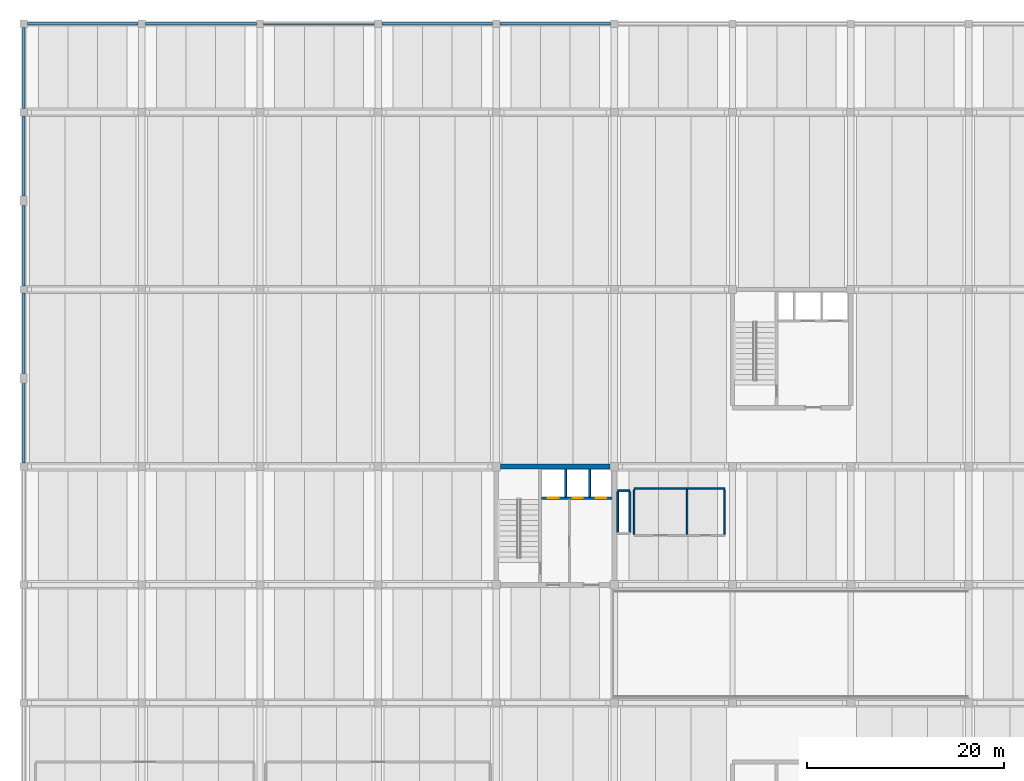
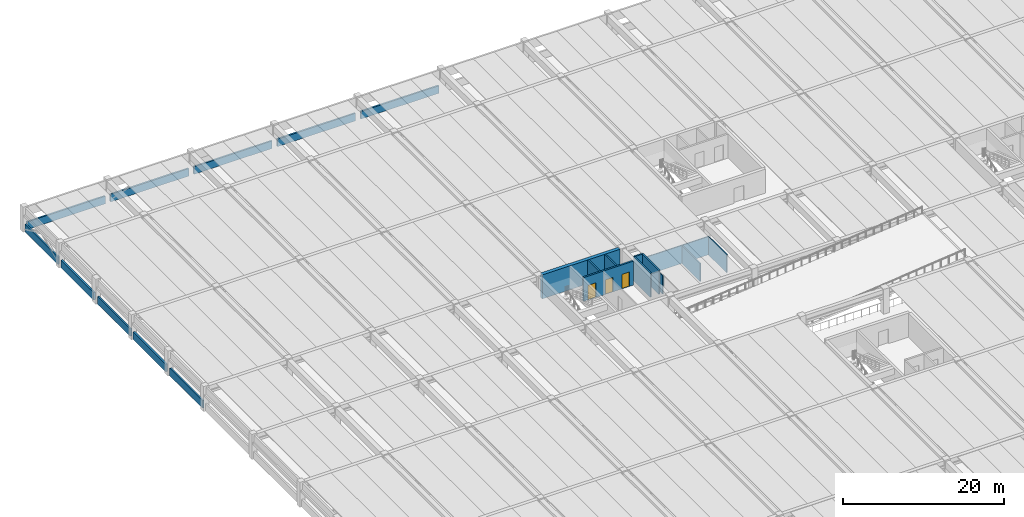
# One storey, part 11 of 21: 22 walls, 3 doors, 3 openings.
"""IFC4 building model written with IfcOpenShell, lengths in metres."""

from ifc_helpers import new_model, si_unit, direction, frame, frame_2d, origin, place, context, subcontext, project, spatial, rectangle, extrude, material, layer, layer_set, type_object, element, fill, save


model = new_model("IFC4")

# Units and contexts
model_context = context("Model", 3, precision=1e-05, world=origin(), true_north=direction((0.0, 1.0)))
body_context = subcontext(model_context, "Body", "Model", "MODEL_VIEW")
ifc_project = project(units=[si_unit("LENGTHUNIT", "METRE"), si_unit("AREAUNIT", "SQUARE_METRE"), si_unit("VOLUMEUNIT", "CUBIC_METRE"), si_unit("PLANEANGLEUNIT", "RADIAN"), si_unit("MASSUNIT", "GRAM", prefix="KILO")], contexts=[model_context])

# Site, building, storey
site_placement = place(None, origin())
site = spatial("IfcSite", under=ifc_project, at=site_placement, CompositionType="ELEMENT")
building_placement = place(site_placement, origin())
building = spatial("IfcBuilding", under=site, at=building_placement, Name="Girod Span Mobility Hub", CompositionType="ELEMENT")
storey_placement = place(building_placement, frame((0.0, 0.0, 17.199951171875)))
storey = spatial("IfcBuildingStorey", under=building, at=storey_placement, Name="L04", CompositionType="ELEMENT", Elevation=17.199951171875)

# Walls
ifc_material_1 = material(Name="Concrete C40/50", Category="concrete")
ifc_layer_1 = layer(ifc_material_1, 0.5)
ifc_layer_set_1 = layer_set([ifc_layer_1], Name="Concrete C40/50")
wall_type_1 = type_object("IfcWallType", Name="W-CW-500", PredefinedType="SHEAR", material=ifc_layer_set_1)
wall_1_placement = place(storey_placement, frame((48.422119140625, 69.0, 0.0), z_axis=(0.0, 0.0, 1.0), x_axis=(1.0, 0.0, 0.0)))
element("IfcWall", 1, at=wall_1_placement, inside=storey, type_object=wall_type_1, Name="Core C1 Shear Wall N L04", PredefinedType="SHEAR", context=body_context, shape_type="SweptSolid", body=[
    extrude(rectangle(XDim=11.15576171875, YDim=0.5, at=frame_2d((5.577880859375, 0.0))), origin(), (0.0, 0.0, 1.0), 3.64306640625),
])
ifc_material_2 = material(Name="Precast Architectural Concrete C40/50", Category="concrete")
ifc_layer_2 = layer(ifc_material_2, 0.239990234375)
ifc_layer_set_2 = layer_set([ifc_layer_2], Name="Precast Architectural Concrete C40/50")
wall_type_2 = type_object("IfcWallType", Name="W-PAR-240", PredefinedType="PARAPET", material=ifc_layer_set_2)
for number, where, z_axis, x_axis, name in (
    (2, (0.373046875, 114.0, 0.0), (0.0, 0.0, 1.0), (1.0, 0.0, 0.0), "Precast Parking Barrier Parapet N-1 L04"),
    (3, (12.373046875, 114.0, 0.0), (0.0, 0.0, 1.0), (1.0, 0.0, 0.0), "Precast Parking Barrier Parapet N-2 L04"),
    (4, (24.373046875, 114.0, 0.0), (0.0, 0.0, 1.0), (1.0, 0.0, 0.0), "Precast Parking Barrier Parapet N-3 L04"),
    (5, (36.373046875, 114.0, 0.0), (0.0, 0.0, 1.0), (1.0, 0.0, 0.0), "Precast Parking Barrier Parapet N-4 L04"),
    (6, (48.373046875, 114.0, 0.0), (0.0, 0.0, 1.0), (1.0, 0.0, 0.0), "Precast Parking Barrier Parapet N-5 L04"),
):
    element("IfcWall", number, at=place(storey_placement, frame(where, z_axis=z_axis, x_axis=x_axis)), inside=storey, type_object=wall_type_2, Name=name, PredefinedType="PARAPET", context=body_context, shape_type="SweptSolid", body=[
        extrude(rectangle(XDim=11.25390625, YDim=0.239990234375, at=frame_2d((5.626953125, 0.0))), origin(), (0.0, 0.0, 1.0), 1.150146484375),
    ])
for number, where, z_axis, x_axis, name in (
    (7, (0.0, 69.373046875, 0.0), (0.0, 0.0, 1.0), (0.0, 1.0, 0.0), "Precast Side Barrier Parapet W-F-1 L04"),
    (8, (0.0, 78.472900390625, 0.0), (0.0, 0.0, 1.0), (0.0, 1.0, 0.0), "Precast Side Barrier Parapet W-F-2 L04"),
    (9, (0.0, 87.373046875, 0.0), (0.0, 0.0, 1.0), (0.0, 1.0, 0.0), "Precast Side Barrier Parapet W-G-1 L04"),
    (10, (0.0, 96.472900390625, 0.0), (0.0, 0.0, 1.0), (0.0, 1.0, 0.0), "Precast Side Barrier Parapet W-G-2 L04"),
):
    element("IfcWall", number, at=place(storey_placement, frame(where, z_axis=z_axis, x_axis=x_axis)), inside=storey, type_object=wall_type_2, Name=name, PredefinedType="PARAPET", context=body_context, shape_type="SweptSolid", body=[
        extrude(rectangle(XDim=8.154052734375, YDim=0.239990234375, at=frame_2d((4.0771484375, 0.0))), origin(), (0.0, 0.0, 1.0), 1.150146484375),
    ])
wall_2_placement = place(storey_placement, frame((0.0, 105.373046875, 0.0), z_axis=(0.0, 0.0, 1.0), x_axis=(0.0, 1.0, 0.0)))
element("IfcWall", 11, at=wall_2_placement, inside=storey, type_object=wall_type_2, Name="Precast Side Barrier Parapet W-H-1 L04", PredefinedType="PARAPET", context=body_context, shape_type="SweptSolid", body=[
    extrude(rectangle(XDim=8.25390625, YDim=0.239990234375, at=frame_2d((4.126953125, 0.0))), origin(), (0.0, 0.0, 1.0), 1.150146484375),
])
ifc_material_3 = material(Name="Fire-Rated Gypsum Board on Metal Studs", Category="gypsum")
ifc_layer_3 = layer(ifc_material_3, 0.155029296875)
ifc_layer_set_3 = layer_set([ifc_layer_3], Name="Fire-Rated Gypsum Board on Metal Studs")
wall_type_3 = type_object("IfcWallType", Name="W-PLB-155", PredefinedType="PLUMBINGWALL", material=ifc_layer_set_3)
wall_3_placement = place(storey_placement, frame((62.0, 66.800048828125, 0.0), z_axis=(0.0, 0.0, 1.0), x_axis=(1.0, 0.0, 0.0)))
element("IfcWall", 12, at=wall_3_placement, inside=storey, type_object=wall_type_3, Name="Restroom L04 Partition N", PredefinedType="PLUMBINGWALL", context=body_context, shape_type="SweptSolid", body=[
    extrude(rectangle(XDim=5.39990234375, YDim=0.155029296875, at=frame_2d((2.699951171875, 0.0))), origin(), (0.0, 0.0, 1.0), 2.75),
])
for number, where, z_axis, x_axis, name in (
    (13, (62.0, 62.159912109375, 0.0), (0.0, 0.0, 1.0), (0.0, 1.0, 0.0), "Restroom L04 Partition W"),
    (14, (67.39990234375, 62.159912109375, 0.0), (0.0, 0.0, 1.0), (0.0, 1.0, 0.0), "Restroom L04 Partition E"),
):
    element("IfcWall", number, at=place(storey_placement, frame(where, z_axis=z_axis, x_axis=x_axis)), inside=storey, type_object=wall_type_3, Name=name, PredefinedType="PLUMBINGWALL", context=body_context, shape_type="SweptSolid", body=[
        extrude(rectangle(XDim=4.47998046875, YDim=0.155029296875, at=frame_2d((2.239990234375, 0.0))), origin(), (0.0, 0.0, 1.0), 2.75),
    ])
wall_4_placement = place(storey_placement, frame((67.39990234375, 66.800048828125, 0.0), z_axis=(0.0, 0.0, 1.0), x_axis=(1.0, 0.0, 0.0)))
element("IfcWall", 15, at=wall_4_placement, inside=storey, type_object=wall_type_3, Name="Accessible WC L04 Partition N", PredefinedType="PLUMBINGWALL", context=body_context, shape_type="SweptSolid", body=[
    extrude(rectangle(XDim=3.800048828125, YDim=0.155029296875, at=frame_2d((1.89990234375, 0.0))), origin(), (0.0, 0.0, 1.0), 2.75),
])
wall_5_placement = place(storey_placement, frame((71.199951171875, 62.159912109375, 0.0), z_axis=(0.0, 0.0, 1.0), x_axis=(0.0, 1.0, 0.0)))
element("IfcWall", 16, at=wall_5_placement, inside=storey, type_object=wall_type_3, Name="Accessible WC L04 Partition E", PredefinedType="PLUMBINGWALL", context=body_context, shape_type="SweptSolid", body=[
    extrude(rectangle(XDim=4.47998046875, YDim=0.155029296875, at=frame_2d((2.239990234375, 0.0))), origin(), (0.0, 0.0, 1.0), 2.75),
])
ifc_material_4 = material(Name="Concrete C40/50", Category="concrete")
ifc_layer_4 = layer(ifc_material_4, 0.199951171875)
ifc_layer_set_4 = layer_set([ifc_layer_4], Name="Concrete C40/50")
wall_type_4 = type_object("IfcWallType", Name="W-SH-200", PredefinedType="SOLIDWALL", material=ifc_layer_set_4)
wall_6_placement = place(storey_placement, frame((60.346923828125, 66.550048828125, 0.0), z_axis=(0.0, 0.0, 1.0), x_axis=(1.0, 0.0, 0.0)))
element("IfcWall", 17, at=wall_6_placement, inside=storey, type_object=wall_type_4, Name="Sanitary Wet Riser Shaft Wall N L04", PredefinedType="SOLIDWALL", context=body_context, shape_type="SweptSolid", body=[
    extrude(rectangle(XDim=1.233154296875, YDim=0.199951171875, at=frame_2d((0.61669921875, 0.0))), origin(), (0.0, 0.0, 1.0), 3.64306640625),
])
for number, where, z_axis, x_axis, name in (
    (18, (60.346923828125, 62.330078125, 0.0), (0.0, 0.0, 1.0), (0.0, 1.0, 0.0), "Sanitary Wet Riser Shaft Wall W L04"),
    (19, (61.580078125, 62.330078125, 0.0), (0.0, 0.0, 1.0), (0.0, 1.0, 0.0), "Sanitary Wet Riser Shaft Wall E L04"),
):
    element("IfcWall", number, at=place(storey_placement, frame(where, z_axis=z_axis, x_axis=x_axis)), inside=storey, type_object=wall_type_4, Name=name, PredefinedType="SOLIDWALL", context=body_context, shape_type="SweptSolid", body=[
        extrude(rectangle(XDim=4.139892578125, YDim=0.199951171875, at=frame_2d((2.06982421875, 0.0))), origin(), (0.0, 0.0, 1.0), 3.64306640625),
    ])
for number, where, z_axis, x_axis, name in (
    (20, (55.050048828125, 65.919921875, 0.0), (0.0, 0.0, 1.0), (0.0, 1.0, 0.0), "Core C1 Shaft Divider 1 L04"),
    (21, (57.47998046875, 65.919921875, 0.0), (0.0, 0.0, 1.0), (0.0, 1.0, 0.0), "Core C1 Shaft Divider 2 L04"),
):
    element("IfcWall", number, at=place(storey_placement, frame(where, z_axis=z_axis, x_axis=x_axis)), inside=storey, type_object=wall_type_4, Name=name, PredefinedType="SOLIDWALL", context=body_context, shape_type="SweptSolid", body=[
        extrude(rectangle(XDim=2.830078125, YDim=0.199951171875, at=frame_2d((1.4150390625, 0.0))), origin(), (0.0, 0.0, 1.0), 3.633056640625),
    ])

# Wall, openings, doors
ifc_material_5 = material(Name="Concrete C40/50", Category="concrete")
ifc_layer_5 = layer(ifc_material_5, 0.25)
ifc_layer_set_5 = layer_set([ifc_layer_5], Name="Concrete C40/50")
wall_type_5 = type_object("IfcWallType", Name="W-SH-250", PredefinedType="SOLIDWALL", material=ifc_layer_set_5)
wall_7_placement = place(storey_placement, frame((52.596923828125, 65.800048828125, 0.0), z_axis=(0.0, 0.0, 1.0), x_axis=(1.0, 0.0, 0.0)))
wall_7 = element("IfcWall", 22, at=wall_7_placement, inside=storey, type_object=wall_type_5, Name="Core C1 Hoistway Front Wall L04", PredefinedType="SOLIDWALL", context=body_context, shape_type="SweptSolid", body=[
    extrude(rectangle(XDim=7.156005859375, YDim=0.25, at=frame_2d((3.578125, 0.0))), origin(), (0.0, 0.0, 1.0), 3.64306640625),
])
opening_1_placement = place(wall_7_placement, frame((0.653076171875, 0.0, 0.0)))
opening_1 = element("IfcOpeningElement", 23, at=opening_1_placement, cuts=wall_7, Name="Opening LD-FL-1-L04", PredefinedType="OPENING", context=body_context, shape_type="SweptSolid", body=[
    extrude(rectangle(XDim=1.10009765625, YDim=2.239990234375, at=frame_2d((0.550048828125, 1.1201171875))), frame((0.0, 0.139892578125, 0.0), z_axis=(0.0, -1.0, 0.0), x_axis=(1.0, 0.0, 0.0)), (0.0, 0.0, 1.0), 0.280029296875),
])
opening_2_placement = place(wall_7_placement, frame((3.153076171875, 0.0, 0.0)))
opening_2 = element("IfcOpeningElement", 24, at=opening_2_placement, cuts=wall_7, Name="Opening LD-LP-1-L04", PredefinedType="OPENING", context=body_context, shape_type="SweptSolid", body=[
    extrude(rectangle(XDim=1.050048828125, YDim=2.199951171875, at=frame_2d((0.52490234375, 1.10009765625))), frame((0.0, 0.139892578125, 0.0), z_axis=(0.0, -1.0, 0.0), x_axis=(1.0, 0.0, 0.0)), (0.0, 0.0, 1.0), 0.280029296875),
])
opening_3_placement = place(wall_7_placement, frame((5.528076171875, 0.0, 0.0)))
opening_3 = element("IfcOpeningElement", 25, at=opening_3_placement, cuts=wall_7, Name="Opening LD-LP-2-L04", PredefinedType="OPENING", context=body_context, shape_type="SweptSolid", body=[
    extrude(rectangle(XDim=1.050048828125, YDim=2.199951171875, at=frame_2d((0.52490234375, 1.10009765625))), frame((0.0, 0.139892578125, 0.0), z_axis=(0.0, -1.0, 0.0), x_axis=(1.0, 0.0, 0.0)), (0.0, 0.0, 1.0), 0.280029296875),
])
ifc_material_6 = material(Name="Brushed Stainless Steel Grade 304", Category="steel")
door_type_1 = type_object("IfcDoorType", Name="LD-FL-110", OperationType="SLIDING_TO_LEFT", PredefinedType="USERDEFINED", material=ifc_material_6)
door_1_placement = place(opening_1_placement, origin())
door_1 = element("IfcDoor", 26, at=door_1_placement, inside=storey, type_object=door_type_1, Name="Lift FL-1 Sliding Landing Door L04", ObjectType="LANDING DOOR", OperationType="SLIDING_TO_LEFT", OverallHeight=2.239990234375, OverallWidth=1.10009765625, PredefinedType="USERDEFINED", context=body_context, shape_type="SweptSolid", body=[
    extrude(rectangle(XDim=1.10009765625, YDim=2.239990234375, at=frame_2d((0.550048828125, 1.1201171875))), frame((0.0, 0.02490234375, 0.0), z_axis=(0.0, -1.0, 0.0), x_axis=(1.0, 0.0, 0.0)), (0.0, 0.0, 1.0), 0.050048828125),
])
fill(opening_1, door_1)
ifc_material_7 = material(Name="Brushed Stainless Steel Grade 304", Category="steel")
door_type_2 = type_object("IfcDoorType", Name="LD-LP-105", OperationType="SLIDING_TO_LEFT", PredefinedType="USERDEFINED", material=ifc_material_7)
door_2_placement = place(opening_2_placement, origin())
door_2 = element("IfcDoor", 27, at=door_2_placement, inside=storey, type_object=door_type_2, Name="Lift LP-1 Sliding Landing Door L04", ObjectType="LANDING DOOR", OperationType="SLIDING_TO_LEFT", OverallHeight=2.199951171875, OverallWidth=1.050048828125, PredefinedType="USERDEFINED", context=body_context, shape_type="SweptSolid", body=[
    extrude(rectangle(XDim=1.050048828125, YDim=2.199951171875, at=frame_2d((0.52490234375, 1.10009765625))), frame((0.0, 0.02490234375, 0.0), z_axis=(0.0, -1.0, 0.0), x_axis=(1.0, 0.0, 0.0)), (0.0, 0.0, 1.0), 0.050048828125),
])
fill(opening_2, door_2)
door_3_placement = place(opening_3_placement, origin())
door_3 = element("IfcDoor", 28, at=door_3_placement, inside=storey, type_object=door_type_2, Name="Lift LP-2 Sliding Landing Door L04", ObjectType="LANDING DOOR", OperationType="SLIDING_TO_LEFT", OverallHeight=2.199951171875, OverallWidth=1.050048828125, PredefinedType="USERDEFINED", context=body_context, shape_type="SweptSolid", body=[
    extrude(rectangle(XDim=1.050048828125, YDim=2.199951171875, at=frame_2d((0.52490234375, 1.10009765625))), frame((0.0, 0.02490234375, 0.0), z_axis=(0.0, -1.0, 0.0), x_axis=(1.0, 0.0, 0.0)), (0.0, 0.0, 1.0), 0.050048828125),
])
fill(opening_3, door_3)

save(model, "model.ifc")
